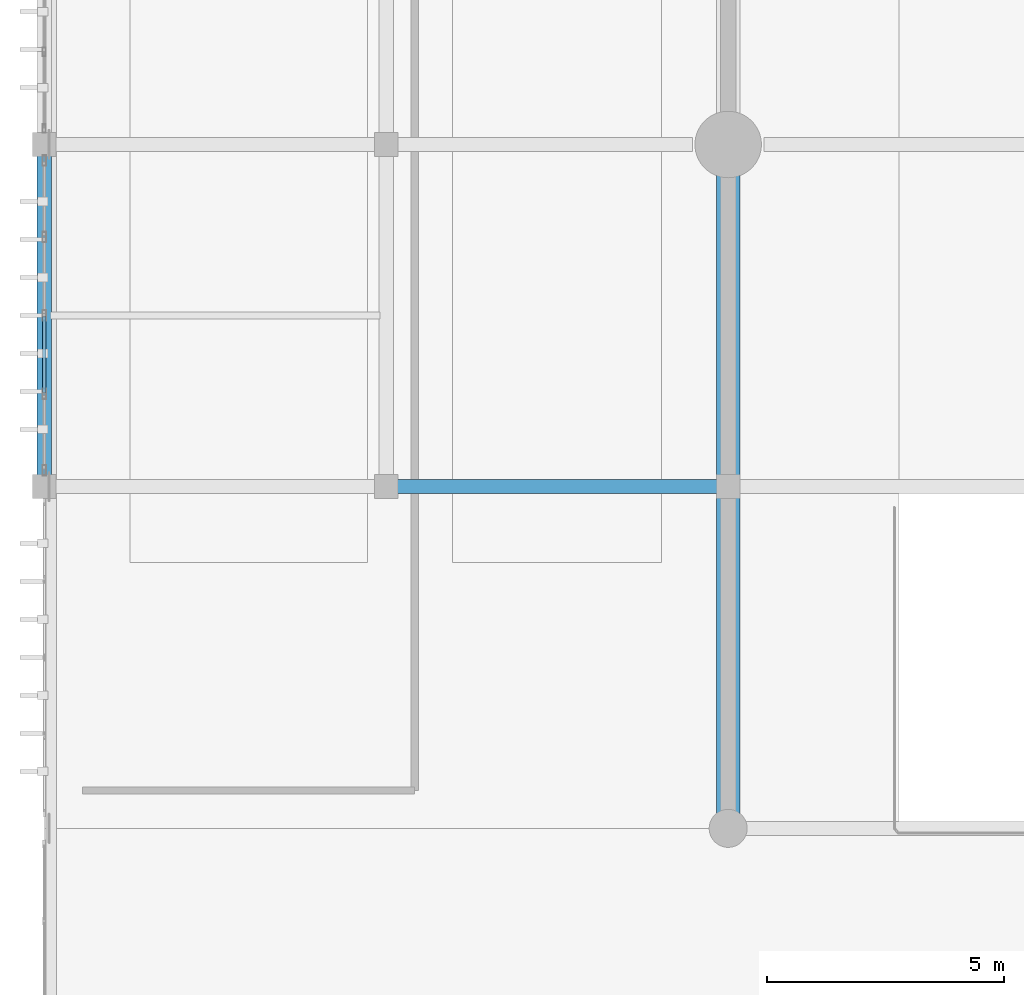
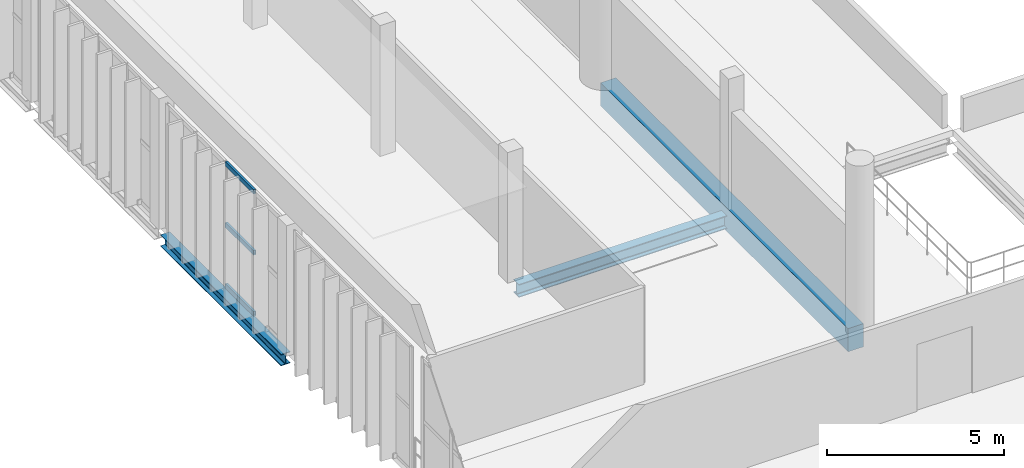
# One storey, part 5 of 64: 3 beams, 3 members, 1 element without a shape of its own.
"""IFC4 building model written with IfcOpenShell, lengths in metres."""

from ifc_helpers import new_model, si_unit, direction, frame, origin, origin_2d, place, context, subcontext, project, spatial, rectangle, hollow_rectangle, i_section, extrude, material, material_profile, profile_set, type_object, element, aggregate, save


model = new_model("IFC4")

# Units and contexts
model_context = context("Model", 3, precision=1e-05, world=origin(), true_north=direction((0.0, 1.0)))
body_context = subcontext(model_context, "Body", "Model", "MODEL_VIEW")
ifc_project = project(units=[si_unit("LENGTHUNIT", "METRE"), si_unit("AREAUNIT", "SQUARE_METRE"), si_unit("VOLUMEUNIT", "CUBIC_METRE"), si_unit("PLANEANGLEUNIT", "RADIAN"), si_unit("MASSUNIT", "GRAM", prefix="KILO")], contexts=[model_context])

# Site, building, storey
site_placement = place(None, origin())
site = spatial("IfcSite", under=ifc_project, at=site_placement, CompositionType="ELEMENT")
building_placement = place(site_placement, origin())
building = spatial("IfcBuilding", under=site, at=building_placement, Name="Qandorah Velis Arena", CompositionType="ELEMENT")
storey_placement = place(building_placement, frame((0.0, 0.0, 23.0)))
storey = spatial("IfcBuildingStorey", under=building, at=storey_placement, Name="L05", CompositionType="ELEMENT", Elevation=23.0)

# Curtain wall, members
ifc_material_1 = material(Name="Solar-control low-E double glazing", Category="glass")
curtain_wall_type = type_object("IfcCurtainWallType", Name="ARC-CW-SYS17", PredefinedType="USERDEFINED", material=ifc_material_1)
curtain_wall_placement = place(storey_placement, origin())
curtain_wall = element("IfcCurtainWall", 1, at=curtain_wall_placement, inside=storey, type_object=curtain_wall_type, Name="Unitised curtain wall L05-041", ObjectType="UNITISED CURTAIN WALL", PredefinedType="USERDEFINED")
ifc_material_2 = material(Name="Champagne-bronze anodized aluminium 6063-T6", Category="aluminium")
ifc_material_profile_1 = material_profile(ifc_material_2, hollow_rectangle(XDim=0.074951171875, YDim=0.159912109375, WallThickness=0.00341796875, at=origin_2d()), Name="ALU TRANSOM 75x160")
ifc_profile_set_1 = profile_set([ifc_material_profile_1], Name="Champagne-bronze anodized aluminium 6063-T6")
member_type = type_object("IfcMemberType", Name="ARC-CWT-160", PredefinedType="USERDEFINED", material=ifc_profile_set_1)
member_1_placement = place(storey_placement, frame((0.0, 23.575439453125, 0.03759765625), z_axis=(0.0, 1.0, 0.0), x_axis=(-1.0, 0.0, 0.0)))
member_1 = element("IfcMember", 2, at=member_1_placement, type_object=member_type, Name="CW17 transom 2.1", ObjectType="TRANSOM", PredefinedType="USERDEFINED", context=body_context, shape_type="SweptSolid", body=[
    extrude(hollow_rectangle(XDim=0.074951171875, YDim=0.159912109375, WallThickness=0.00341796875, at=origin_2d()), origin(), (0.0, 0.0, 1.0), 1.59912109375),
])
member_2_placement = place(storey_placement, frame((0.0, 23.575439453125, 2.139892578125), z_axis=(0.0, 1.0, 0.0), x_axis=(-1.0, 0.0, 0.0)))
member_2 = element("IfcMember", 3, at=member_2_placement, type_object=member_type, Name="CW17 transom 2.2", ObjectType="TRANSOM", PredefinedType="USERDEFINED", context=body_context, shape_type="SweptSolid", body=[
    extrude(hollow_rectangle(XDim=0.074951171875, YDim=0.159912109375, WallThickness=0.00341796875, at=origin_2d()), origin(), (0.0, 0.0, 1.0), 1.59912109375),
])
member_3_placement = place(storey_placement, frame((0.0, 23.575439453125, 4.242431640625), z_axis=(0.0, 1.0, 0.0), x_axis=(-1.0, 0.0, 0.0)))
member_3 = element("IfcMember", 4, at=member_3_placement, type_object=member_type, Name="CW17 transom 2.3", ObjectType="TRANSOM", PredefinedType="USERDEFINED", context=body_context, shape_type="SweptSolid", body=[
    extrude(hollow_rectangle(XDim=0.074951171875, YDim=0.159912109375, WallThickness=0.00341796875, at=origin_2d()), origin(), (0.0, 0.0, 1.0), 1.59912109375),
])
aggregate(curtain_wall, [member_1, member_2, member_3])

# Beams
ifc_material_3 = material(Name="Steel S355", Category="steel")
ifc_material_profile_2 = material_profile(ifc_material_3, i_section(OverallWidth=0.300048828125, OverallDepth=0.39990234375, WebThickness=0.013427734375, FlangeThickness=0.02392578125, FilletRadius=0.027099609375, at=origin_2d()), Name="HEB 400")
ifc_profile_set_2 = profile_set([ifc_material_profile_2], Name="Steel S355")
beam_type_1 = type_object("IfcBeamType", Name="STR-BM-HEB400", PredefinedType="BEAM", material=ifc_profile_set_2)
beam_1_placement = place(storey_placement, frame((0.0, 21.824951171875, -0.449951171875), z_axis=(0.0, 1.0, 0.0), x_axis=(-1.0, 0.0, 0.0)))
element("IfcBeam", 5, at=beam_1_placement, inside=storey, type_object=beam_type_1, Name="Primary floor girder L05 Y-114", PredefinedType="BEAM", context=body_context, shape_type="SweptSolid", body=[
    extrude(i_section(OverallWidth=0.300048828125, OverallDepth=0.39990234375, WebThickness=0.013427734375, FlangeThickness=0.02392578125, FilletRadius=0.027099609375, at=origin_2d()), origin(), (0.0, 0.0, 1.0), 6.796630859375),
])
ifc_material_profile_3 = material_profile(ifc_material_3, i_section(OverallWidth=0.300048828125, OverallDepth=0.449951171875, WebThickness=0.013916015625, FlangeThickness=0.02587890625, FilletRadius=0.027099609375, at=origin_2d()), Name="HEB 450")
ifc_profile_set_3 = profile_set([ifc_material_profile_3], Name="Steel S355")
beam_type_2 = type_object("IfcBeamType", Name="STR-BM-HEB450", PredefinedType="BEAM", material=ifc_profile_set_3)
beam_2_placement = place(storey_placement, frame((7.37841796875, 21.60009765625, -0.47509765625), z_axis=(1.0, 0.0, 0.0), x_axis=(0.0, 1.0, 0.0)))
element("IfcBeam", 6, at=beam_2_placement, inside=storey, type_object=beam_type_2, Name="Primary floor girder L05 X-030", PredefinedType="BEAM", context=body_context, shape_type="SweptSolid", body=[
    extrude(i_section(OverallWidth=0.300048828125, OverallDepth=0.449951171875, WebThickness=0.013916015625, FlangeThickness=0.02587890625, FilletRadius=0.027099609375, at=origin_2d()), origin(), (0.0, 0.0, 1.0), 6.843017578125),
])
ifc_material_4 = material(Name="Concrete C40/50", Category="concrete")
ifc_material_profile_4 = material_profile(ifc_material_4, rectangle(XDim=0.5, YDim=0.800048828125, at=origin_2d()), Name="RC BM 500x800")
ifc_profile_set_4 = profile_set([ifc_material_profile_4], Name="Concrete C40/50")
beam_type_3 = type_object("IfcBeamType", Name="STR-RCBM-500X800", PredefinedType="BEAM", material=ifc_profile_set_4)
beam_3_placement = place(storey_placement, frame((14.39990234375, 14.6201171875, -0.39990234375), z_axis=(0.0, 1.0, 0.0), x_axis=(-1.0, 0.0, 0.0)))
element("IfcBeam", 7, at=beam_3_placement, inside=storey, type_object=beam_type_3, Name="Drum west ring beam L05-1", PredefinedType="BEAM", context=body_context, shape_type="SweptSolid", body=[
    extrude(rectangle(XDim=0.5, YDim=0.800048828125, at=origin_2d()), origin(), (0.0, 0.0, 1.0), 13.9599609375),
])

save(model, "model.ifc")
